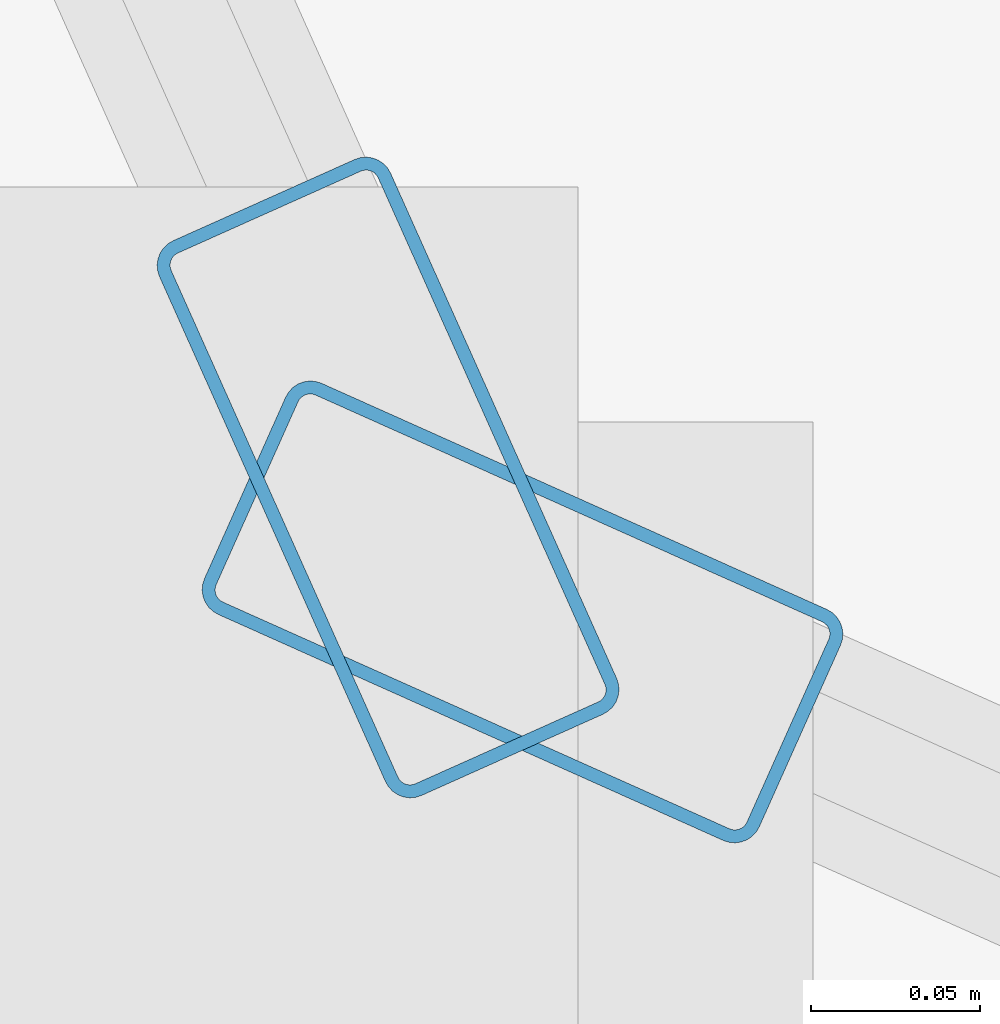
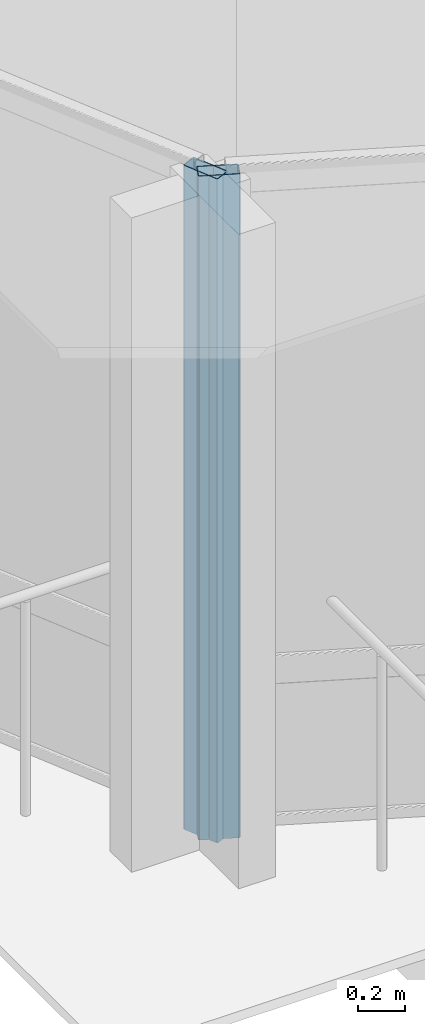
# One storey, part 2 of 19: 2 members, 2 elements without a shape of their own.
"""IFC4 building model written with IfcOpenShell, lengths in metres."""

from ifc_helpers import new_model, si_unit, direction, frame, origin, origin_2d, place, context, subcontext, project, spatial, hollow_rectangle, extrude, material, layer, layer_set, material_profile, profile_set, type_object, element, aggregate, save


model = new_model("IFC4")

# Units and contexts
model_context = context("Model", 3, precision=1e-05, world=origin(), true_north=direction((0.0, 1.0)))
body_context = subcontext(model_context, "Body", "Model", "MODEL_VIEW")
ifc_project = project(units=[si_unit("LENGTHUNIT", "METRE"), si_unit("AREAUNIT", "SQUARE_METRE"), si_unit("VOLUMEUNIT", "CUBIC_METRE"), si_unit("PLANEANGLEUNIT", "RADIAN"), si_unit("MASSUNIT", "GRAM", prefix="KILO")], contexts=[model_context])

# Site, building, storey
site_placement = place(None, origin())
site = spatial("IfcSite", under=ifc_project, at=site_placement, CompositionType="ELEMENT")
building_placement = place(site_placement, origin())
building = spatial("IfcBuilding", under=site, at=building_placement, Name="Solvaryn Broadcast Tower", CompositionType="ELEMENT")
storey_placement = place(building_placement, frame((0.0, 0.0, 244.5)))
storey = spatial("IfcBuildingStorey", under=building, at=storey_placement, Name="L61", CompositionType="ELEMENT", Elevation=244.5)

# Curtain wall, member
ifc_material_1 = material(Name="Aluminium and Terracotta Unitised Curtain Wall", Category="masonry")
ifc_layer_1 = layer(ifc_material_1, 0.239990234375)
ifc_layer_set_1 = layer_set([ifc_layer_1], Name="CW-SYS3-BAYBOX")
curtain_wall_type_1 = type_object("IfcCurtainWallType", Name="CW-SYS3-BAYBOX", PredefinedType="NOTDEFINED", material=ifc_layer_set_1)
curtain_wall_1_placement = place(storey_placement, origin())
curtain_wall_1 = element("IfcCurtainWall", 1, at=curtain_wall_1_placement, inside=storey, type_object=curtain_wall_type_1, Name="L61 Curtain Wall DR2", PredefinedType="NOTDEFINED")
ifc_material_2 = material(Name="Anodised Aluminium 6063-T6", Category="aluminium")
ifc_material_profile = material_profile(ifc_material_2, hollow_rectangle(XDim=0.074951171875, YDim=0.179931640625, WallThickness=0.00390625, InnerFilletRadius=0.00390625, OuterFilletRadius=0.008056640625, at=origin_2d()))
ifc_profile_set = profile_set([ifc_material_profile], Name="Anodised Aluminium 6063-T6")
member_type = type_object("IfcMemberType", Name="CW-MUL-180", PredefinedType="MULLION", material=ifc_profile_set)
member_1_placement = place(storey_placement, frame((10.8046875, 10.844482421875, 0.0), z_axis=(0.0, 0.0, 1.0), x_axis=(0.912773530574, 0.408466010682, 0.0)))
member_1 = element("IfcMember", 2, at=member_1_placement, type_object=member_type, Name="CWS3 mullion 2", PredefinedType="MULLION", context=body_context, shape_type="SweptSolid", body=[
    extrude(hollow_rectangle(XDim=0.074951171875, YDim=0.179931640625, WallThickness=0.00390625, InnerFilletRadius=0.00390625, OuterFilletRadius=0.008056640625, at=origin_2d()), origin(), (0.0, 0.0, 1.0), 3.419921875),
])
aggregate(curtain_wall_1, [member_1])

ifc_material_3 = material(Name="Aluminium and Terracotta Unitised Curtain Wall", Category="masonry")
ifc_layer_2 = layer(ifc_material_3, 0.199951171875)
ifc_layer_set_2 = layer_set([ifc_layer_2], Name="CW-SYS2-LOWMID")
curtain_wall_type_2 = type_object("IfcCurtainWallType", Name="CW-SYS2-LOWMID", PredefinedType="NOTDEFINED", material=ifc_layer_set_2)
curtain_wall_2_placement = place(storey_placement, origin())
curtain_wall_2 = element("IfcCurtainWall", 3, at=curtain_wall_2_placement, inside=storey, type_object=curtain_wall_type_2, Name="L61 Curtain Wall DR3", PredefinedType="NOTDEFINED")
member_2_placement = place(storey_placement, frame((10.844482421875, 10.8046875, 0.0), z_axis=(0.0, 0.0, 1.0), x_axis=(0.408466010682, 0.912773530574, 0.0)))
member_2 = element("IfcMember", 4, at=member_2_placement, type_object=member_type, Name="CWS2 mullion 1", PredefinedType="MULLION", context=body_context, shape_type="SweptSolid", body=[
    extrude(hollow_rectangle(XDim=0.074951171875, YDim=0.179931640625, WallThickness=0.00390625, InnerFilletRadius=0.00390625, OuterFilletRadius=0.008056640625, at=origin_2d()), origin(), (0.0, 0.0, 1.0), 3.419921875),
])
aggregate(curtain_wall_2, [member_2])

save(model, "model.ifc")
